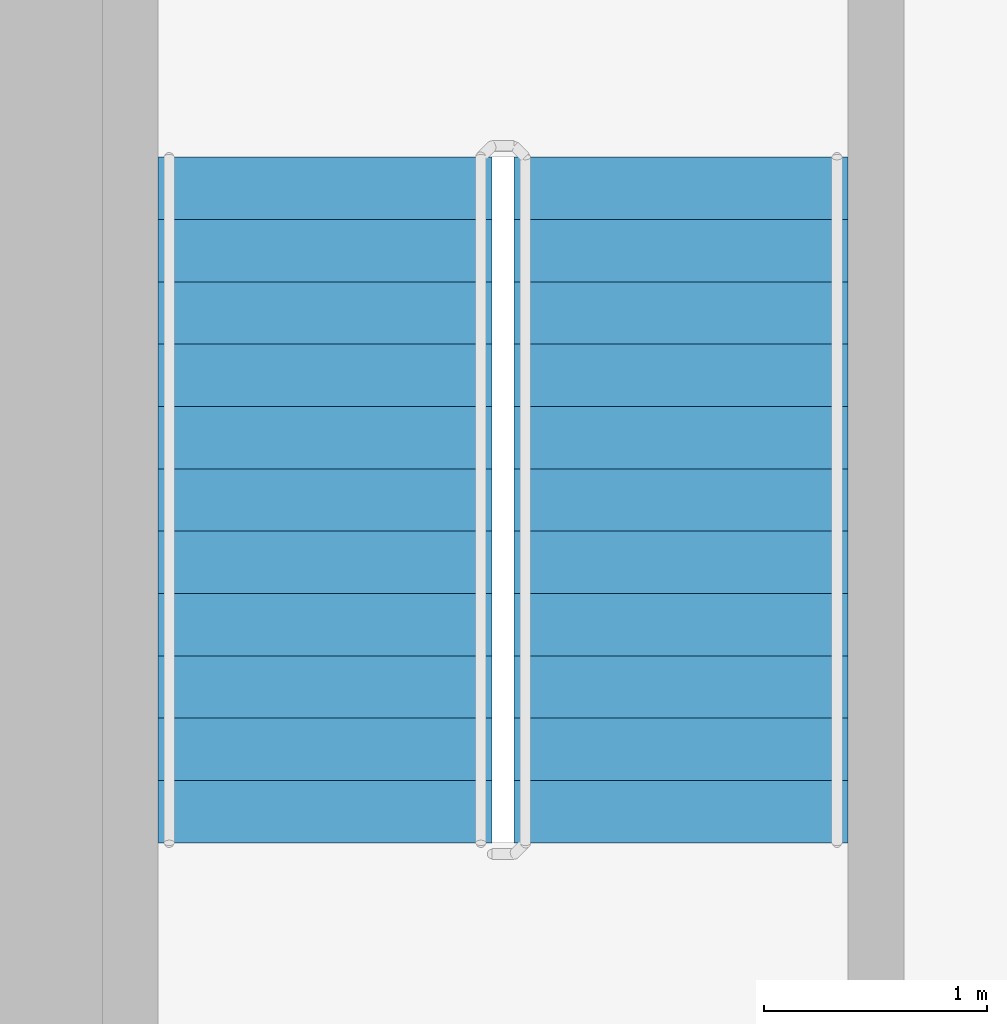
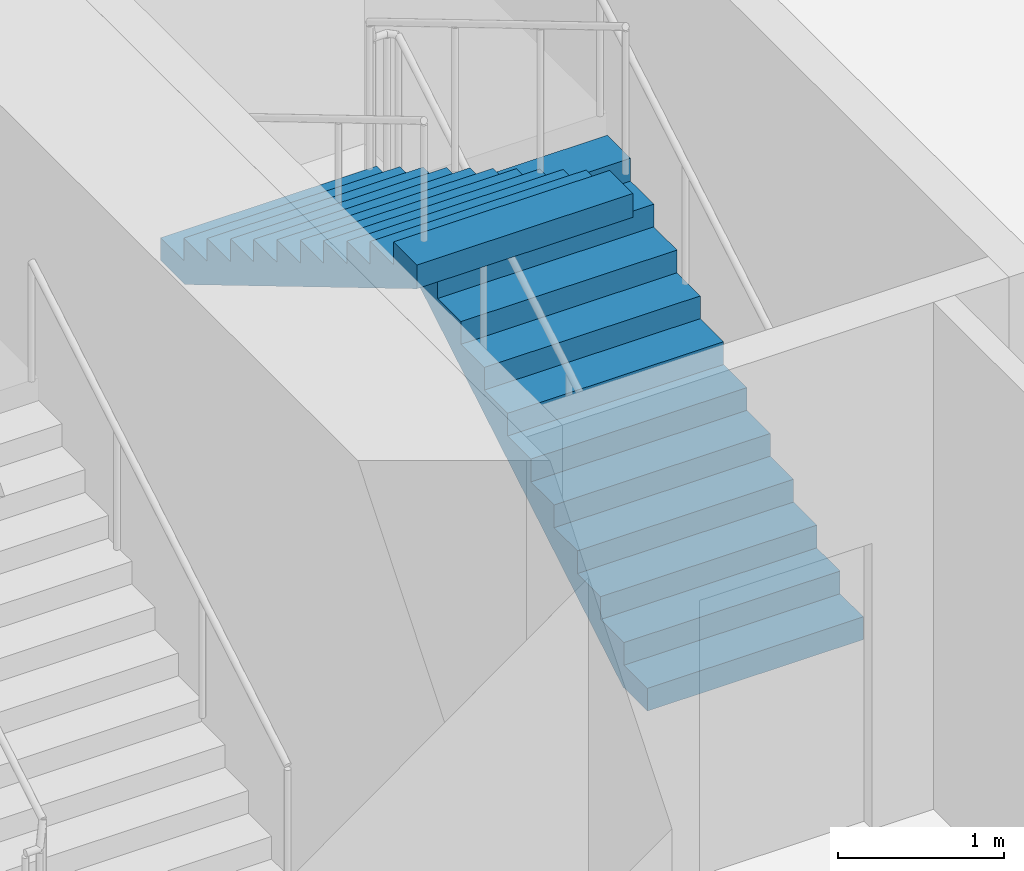
# One storey, part 19 of 27: 2 stair flights, 1 element without a shape of its own.
"""IFC4 building model written with IfcOpenShell, lengths in metres."""

import ifcopenshell
import ifcopenshell.guid

model = None  # the IFC model being written
_history = None  # IfcOwnerHistory: only IFC2X3 demands one
_inside = {}  # id of a spatial element -> (the spatial element, [elements in it])
_under = {}  # id of a project, library or spatial element -> (it, [spatial elements below it])
_declared = {}  # id of a project -> (the project, [libraries it declares])
_typed = {}  # id of a type object -> (the type object, [elements of that type])
_made_of = {}  # id of a material, layer set ... -> (it, [elements and type objects made of it])


def new_model(schema):
    """Start an empty IFC model of exactly this schema.

    Asked for "IFC4X3", IfcOpenShell would pick the latest addendum, in which some entities
    have other attributes; the version numbers below select the first issue.
    IFC2X3 requires an IfcOwnerHistory on every rooted entity: one is made here for all.
    """
    global model, _history
    if schema == "IFC4X3":
        model = ifcopenshell.file(schema_version=(4, 3, 0, 0))
    else:
        model = ifcopenshell.file(schema=schema)
    _inside.clear()
    _under.clear()
    _declared.clear()
    _typed.clear()
    _made_of.clear()
    _history = None
    if model.schema == "IFC2X3":
        org = make("IfcOrganization", Name="unknown")
        user = make(
            "IfcPersonAndOrganization",
            ThePerson=make("IfcPerson", FamilyName="unknown"),
            TheOrganization=org,
        )
        app = make(
            "IfcApplication",
            ApplicationDeveloper=org,
            Version="unknown",
            ApplicationFullName="unknown",
            ApplicationIdentifier="unknown",
        )
        _history = make(
            "IfcOwnerHistory",
            OwningUser=user,
            OwningApplication=app,
            ChangeAction="ADDED",
            CreationDate=0,
        )
    return model


def make(cls, **values):
    """One entity of the class cls with the attributes given. An attribute that is None is left unset."""
    return model.create_entity(
        cls, **{name: value for name, value in values.items() if value is not None}
    )


def rooted(cls, **values):
    """An entity with a GlobalId (a new one), such as an element, a storey or a relation."""
    return make(cls, GlobalId=ifcopenshell.guid.new(), OwnerHistory=_history, **values)


def si_unit(unit_type, name, prefix=None):
    """IfcSIUnit, for example si_unit("LENGTHUNIT", "METRE", prefix="MILLI")."""
    return make("IfcSIUnit", UnitType=unit_type, Prefix=prefix, Name=name)


def assignment(units):
    """IfcUnitAssignment: the units of a project."""
    return None if units is None else make("IfcUnitAssignment", Units=units)


def point(xyz):
    """IfcCartesianPoint."""
    return None if xyz is None else make("IfcCartesianPoint", Coordinates=xyz)


def direction(xyz):
    """IfcDirection."""
    return None if xyz is None else make("IfcDirection", DirectionRatios=xyz)


def frame(location, z_axis=None, x_axis=None):
    """IfcAxis2Placement3D, a coordinate frame: its origin and axes. An axis left out is left unset."""
    return make(
        "IfcAxis2Placement3D",
        Location=point(location),
        Axis=direction(z_axis),
        RefDirection=direction(x_axis),
    )


def origin():
    """The frame at (0, 0, 0) with its axes left unset."""
    return frame((0.0, 0.0, 0.0))


def place(relative_to, where):
    """IfcLocalPlacement: puts the frame where relative to a parent placement (None: the world)."""
    return make(
        "IfcLocalPlacement", PlacementRelTo=relative_to, RelativePlacement=where
    )


def context(
    kind, dimensions, precision=None, world=None, true_north=None, identifier=None
):
    """IfcGeometricRepresentationContext, for example the 3D "Model" context."""
    return make(
        "IfcGeometricRepresentationContext",
        ContextIdentifier=identifier,
        ContextType=kind,
        CoordinateSpaceDimension=dimensions,
        Precision=precision,
        WorldCoordinateSystem=world,
        TrueNorth=true_north,
    )


def subcontext(parent, identifier, kind, view, scale=None):
    """IfcGeometricRepresentationSubContext, for example "Body" below "Model"."""
    return make(
        "IfcGeometricRepresentationSubContext",
        ContextIdentifier=identifier,
        ContextType=kind,
        ParentContext=parent,
        TargetScale=scale,
        TargetView=view,
    )


def project(units=None, contexts=None):
    """IfcProject with its units and contexts."""
    return rooted(
        "IfcProject",
        Name="project",
        RepresentationContexts=contexts,
        UnitsInContext=assignment(units),
    )


def spatial(cls, under=None, at=None, **own):
    """A site, building, storey or space (cls), placed at a placement, below another one or the project."""
    s = rooted(cls, ObjectPlacement=at, **own)
    if under is not None:
        _under.setdefault(under.id(), (under, []))[1].append(s)
    return s


def point_list(points):
    """IfcCartesianPointList2D or 3D."""
    cls = (
        "IfcCartesianPointList2D" if len(points[0]) == 2 else "IfcCartesianPointList3D"
    )
    return make(cls, CoordList=points)


def triangles(points, corners, closed=None, point_numbers=None):
    """IfcTriangulatedFaceSet: each triangle names its three corners, points numbered from 1."""
    return make(
        "IfcTriangulatedFaceSet",
        Coordinates=point_list(points),
        Closed=closed,
        CoordIndex=corners,
        PnIndex=point_numbers,
    )


def shape(context_of_items, identifier, shape_type, items):
    """IfcShapeRepresentation: the items that make up one representation, for example the "Body"."""
    return make(
        "IfcShapeRepresentation",
        ContextOfItems=context_of_items,
        RepresentationIdentifier=identifier,
        RepresentationType=shape_type,
        Items=items,
    )


def source(mapping_origin, context_of_items, identifier, shape_type, items):
    """IfcRepresentationMap: a shape defined once, which mapped items show again and again."""
    return make(
        "IfcRepresentationMap",
        MappingOrigin=mapping_origin,
        MappedRepresentation=shape(context_of_items, identifier, shape_type, items),
    )


def transform(
    local_origin,
    x_axis=None,
    y_axis=None,
    z_axis=None,
    scale=None,
    scale2=None,
    scale3=None,
    uniform=True,
):
    """IfcCartesianTransformationOperator3D, or its non-uniform kind. x_axis, y_axis, z_axis: its Axis1, 2, 3."""
    if uniform:
        return make(
            "IfcCartesianTransformationOperator3D",
            Axis1=direction(x_axis),
            Axis2=direction(y_axis),
            LocalOrigin=point(local_origin),
            Scale=scale,
            Axis3=direction(z_axis),
        )
    return make(
        "IfcCartesianTransformationOperator3DnonUniform",
        Axis1=direction(x_axis),
        Axis2=direction(y_axis),
        LocalOrigin=point(local_origin),
        Scale=scale,
        Axis3=direction(z_axis),
        Scale2=scale2,
        Scale3=scale3,
    )


def mapped(mapping_source, mapping_target):
    """IfcMappedItem: shows the shape of a source again, moved by a transform."""
    return make(
        "IfcMappedItem", MappingSource=mapping_source, MappingTarget=mapping_target
    )


def material(Name=None, Category=None):
    """IfcMaterial."""
    return make("IfcMaterial", Name=Name, Category=Category)


def made_of(thing, what):
    """Note that an element or type object is made of a material, layer set ...; save() writes the relation."""
    if what is not None:
        _made_of.setdefault(what.id(), (what, []))[1].append(thing)
    return thing


def type_object(cls, material=None, **own):
    """A type object (cls), such as IfcWallType, which elements share."""
    return made_of(rooted(cls, **own), material)


def element(
    cls,
    number,
    at=None,
    inside=None,
    cuts=None,
    type_object=None,
    material=None,
    context=None,
    identifier="Body",
    shape_type=None,
    held_by="IfcProductDefinitionShape",
    body=None,
    shapes=None,
    **own,
):
    """One element of the class cls, such as IfcWall. Its Tag is "e" and its number.

    at: its placement. inside: the storey or other place that contains it. cuts: it is an
    opening in that element (IfcRelVoidsElement). A single representation is given by context,
    identifier, shape_type and body (its items); several are given by shapes. held_by: the class
    of the entity that holds the representations. save() writes the other relations.
    """
    e = rooted(cls, Tag="e%d" % number, ObjectPlacement=at, **own)
    if body is not None:
        shapes = [shape(context, identifier, shape_type, body)]
    if shapes is not None:
        e.Representation = make(held_by, Representations=shapes)
    if inside is not None:
        _inside.setdefault(inside.id(), (inside, []))[1].append(e)
    if cuts is not None:
        rooted(
            "IfcRelVoidsElement", RelatingBuildingElement=cuts, RelatedOpeningElement=e
        )
    if type_object is not None:
        _typed.setdefault(type_object.id(), (type_object, []))[1].append(e)
    return made_of(e, material)


def aggregate(whole, parts):
    """IfcRelAggregates: a whole, such as a stair, and the parts it consists of."""
    return rooted("IfcRelAggregates", RelatingObject=whole, RelatedObjects=parts)


def save(model, path):
    """Write the relations noted so far, then the file.

    IfcRelAggregates (storeys below a building ...), IfcRelContainedInSpatialStructure (elements
    in a storey), IfcRelDefinesByType, IfcRelAssociatesMaterial and IfcRelDeclares: one each for
    every whole, place, type object, material and project.
    """
    for whole, parts in _under.values():
        aggregate(whole, parts)
    for where, things in _inside.values():
        rooted(
            "IfcRelContainedInSpatialStructure",
            RelatedElements=things,
            RelatingStructure=where,
        )
    for kind, things in _typed.values():
        rooted("IfcRelDefinesByType", RelatedObjects=things, RelatingType=kind)
    for what, things in _made_of.values():
        rooted("IfcRelAssociatesMaterial", RelatedObjects=things, RelatingMaterial=what)
    for by, libraries in _declared.values():
        rooted("IfcRelDeclares", RelatingContext=by, RelatedDefinitions=libraries)
    model.write(path)


model = new_model("IFC4")

# Units and contexts
model_context = context("Model", 3, precision=1e-05, world=origin(), true_north=direction((0.0, 1.0)))
body_context = subcontext(model_context, "Body", "Model", "MODEL_VIEW")
ifc_project = project(units=[si_unit("LENGTHUNIT", "METRE"), si_unit("AREAUNIT", "SQUARE_METRE"), si_unit("VOLUMEUNIT", "CUBIC_METRE"), si_unit("PLANEANGLEUNIT", "RADIAN"), si_unit("MASSUNIT", "GRAM", prefix="KILO")], contexts=[model_context])

# Site, building, storey
site_placement = place(None, origin())
site = spatial("IfcSite", under=ifc_project, at=site_placement, CompositionType="ELEMENT")
building_placement = place(site_placement, origin())
building = spatial("IfcBuilding", under=site, at=building_placement, Name="Kilnfold Tower and Market Hall", CompositionType="ELEMENT")
storey_placement = place(building_placement, frame((0.0, 0.0, 51.0)))
storey = spatial("IfcBuildingStorey", under=building, at=storey_placement, Name="L11", CompositionType="ELEMENT", Elevation=51.0)

# Stair, stair flights
ifc_material_1 = material(Name="Concrete C40/50", Category="concrete")
stair_type = type_object("IfcStairType", Name="CORE STAIR 1500", PredefinedType="HALF_TURN_STAIR", material=ifc_material_1)
stair_placement = place(storey_placement, origin())
stair = element("IfcStair", 1, at=stair_placement, inside=storey, type_object=stair_type, Name="L11 ST5", PredefinedType="HALF_TURN_STAIR")
ifc_material_2 = material(Name="Concrete C40/50", Category="concrete")
stair_flight_type = type_object("IfcStairFlightType", Name="CORE STAIR FLIGHT 1500", PredefinedType="STRAIGHT", material=ifc_material_2)
shared_shape = source(origin(), body_context, "Body", "Tessellation", [
    triangles([(0.0, 0.75, 0.0), (0.0, 0.65625, 0.0), (0.0, 0.5625, 0.0), (0.0, 0.46875, 0.0), (0.0, 0.375, 0.0), (0.0, 0.28125, 0.0), (0.0, 0.1875, 0.0), (0.0, 0.09375, 0.0), (0.0, 0.0, 0.0), (0.0, -0.09375, 0.0), (0.0, -0.1875, 0.0), (0.0, -0.28125, 0.0), (0.0, -0.375, 0.0), (0.0, -0.46875, 0.0), (0.0, -0.5625, 0.0), (0.0, -0.65625, 0.0), (0.0, -0.75, 0.0), (0.0, 0.75, 0.166748046875), (0.0, 0.65625, 0.166748046875), (0.0, 0.5625, 0.166748046875), (0.0, 0.46875, 0.166748046875), (0.0, 0.375, 0.166748046875), (0.0, 0.28125, 0.166748046875), (0.0, 0.1875, 0.166748046875), (0.0, 0.09375, 0.166748046875), (0.0, 0.0, 0.166748046875), (0.0, -0.09375, 0.166748046875), (0.0, -0.1875, 0.166748046875), (0.0, -0.28125, 0.166748046875), (0.0, -0.375, 0.166748046875), (0.0, -0.46875, 0.166748046875), (0.0, -0.5625, 0.166748046875), (0.0, -0.65625, 0.166748046875), (0.0, -0.75, 0.166748046875), (0.280029296875, 0.75, 0.166748046875), (0.280029296875, 0.65625, 0.166748046875), (0.280029296875, 0.5625, 0.166748046875), (0.280029296875, 0.46875, 0.166748046875), (0.280029296875, 0.375, 0.166748046875), (0.280029296875, 0.28125, 0.166748046875), (0.280029296875, 0.1875, 0.166748046875), (0.280029296875, 0.09375, 0.166748046875), (0.280029296875, 0.0, 0.166748046875), (0.280029296875, -0.09375, 0.166748046875), (0.280029296875, -0.1875, 0.166748046875), (0.280029296875, -0.28125, 0.166748046875), (0.280029296875, -0.375, 0.166748046875), (0.280029296875, -0.46875, 0.166748046875), (0.280029296875, -0.5625, 0.166748046875), (0.280029296875, -0.65625, 0.166748046875), (0.280029296875, -0.75, 0.166748046875), (0.280029296875, 0.75, 0.333251953125), (0.280029296875, 0.65625, 0.333251953125), (0.280029296875, 0.5625, 0.333251953125), (0.280029296875, 0.46875, 0.333251953125), (0.280029296875, 0.375, 0.333251953125), (0.280029296875, 0.28125, 0.333251953125), (0.280029296875, 0.1875, 0.333251953125), (0.280029296875, 0.09375, 0.333251953125), (0.280029296875, 0.0, 0.333251953125), (0.280029296875, -0.09375, 0.333251953125), (0.280029296875, -0.1875, 0.333251953125), (0.280029296875, -0.28125, 0.333251953125), (0.280029296875, -0.375, 0.333251953125), (0.280029296875, -0.46875, 0.333251953125), (0.280029296875, -0.5625, 0.333251953125), (0.280029296875, -0.65625, 0.333251953125), (0.280029296875, -0.75, 0.333251953125), (0.56005859375, 0.75, 0.333251953125), (0.56005859375, 0.65625, 0.333251953125), (0.56005859375, 0.5625, 0.333251953125), (0.56005859375, 0.46875, 0.333251953125), (0.56005859375, 0.375, 0.333251953125), (0.56005859375, 0.28125, 0.333251953125), (0.56005859375, 0.1875, 0.333251953125), (0.56005859375, 0.09375, 0.333251953125), (0.56005859375, 0.0, 0.333251953125), (0.56005859375, -0.09375, 0.333251953125), (0.56005859375, -0.1875, 0.333251953125), (0.56005859375, -0.28125, 0.333251953125), (0.56005859375, -0.375, 0.333251953125), (0.56005859375, -0.46875, 0.333251953125), (0.56005859375, -0.5625, 0.333251953125), (0.56005859375, -0.65625, 0.333251953125), (0.56005859375, -0.75, 0.333251953125), (0.56005859375, 0.75, 0.5), (0.56005859375, 0.65625, 0.5), (0.56005859375, 0.5625, 0.5), (0.56005859375, 0.46875, 0.5), (0.56005859375, 0.375, 0.5), (0.56005859375, 0.28125, 0.5), (0.56005859375, 0.1875, 0.5), (0.56005859375, 0.09375, 0.5), (0.56005859375, 0.0, 0.5), (0.56005859375, -0.09375, 0.5), (0.56005859375, -0.1875, 0.5), (0.56005859375, -0.28125, 0.5), (0.56005859375, -0.375, 0.5), (0.56005859375, -0.46875, 0.5), (0.56005859375, -0.5625, 0.5), (0.56005859375, -0.65625, 0.5), (0.56005859375, -0.75, 0.5), (0.840087890625, 0.75, 0.5), (0.840087890625, 0.65625, 0.5), (0.840087890625, 0.5625, 0.5), (0.840087890625, 0.46875, 0.5), (0.840087890625, 0.375, 0.5), (0.840087890625, 0.28125, 0.5), (0.840087890625, 0.1875, 0.5), (0.840087890625, 0.09375, 0.5), (0.840087890625, 0.0, 0.5), (0.840087890625, -0.09375, 0.5), (0.840087890625, -0.1875, 0.5), (0.840087890625, -0.28125, 0.5), (0.840087890625, -0.375, 0.5), (0.840087890625, -0.46875, 0.5), (0.840087890625, -0.5625, 0.5), (0.840087890625, -0.65625, 0.5), (0.840087890625, -0.75, 0.5), (0.840087890625, 0.75, 0.666748046875), (0.840087890625, 0.65625, 0.666748046875), (0.840087890625, 0.5625, 0.666748046875), (0.840087890625, 0.46875, 0.666748046875), (0.840087890625, 0.375, 0.666748046875), (0.840087890625, 0.28125, 0.666748046875), (0.840087890625, 0.1875, 0.666748046875), (0.840087890625, 0.09375, 0.666748046875), (0.840087890625, 0.0, 0.666748046875), (0.840087890625, -0.09375, 0.666748046875), (0.840087890625, -0.1875, 0.666748046875), (0.840087890625, -0.28125, 0.666748046875), (0.840087890625, -0.375, 0.666748046875), (0.840087890625, -0.46875, 0.666748046875), (0.840087890625, -0.5625, 0.666748046875), (0.840087890625, -0.65625, 0.666748046875), (0.840087890625, -0.75, 0.666748046875), (1.1201171875, 0.75, 0.666748046875), (1.1201171875, 0.65625, 0.666748046875), (1.1201171875, 0.5625, 0.666748046875), (1.1201171875, 0.46875, 0.666748046875), (1.1201171875, 0.375, 0.666748046875), (1.1201171875, 0.28125, 0.666748046875), (1.1201171875, 0.1875, 0.666748046875), (1.1201171875, 0.09375, 0.666748046875), (1.1201171875, 0.0, 0.666748046875), (1.1201171875, -0.09375, 0.666748046875), (1.1201171875, -0.1875, 0.666748046875), (1.1201171875, -0.28125, 0.666748046875), (1.1201171875, -0.375, 0.666748046875), (1.1201171875, -0.46875, 0.666748046875), (1.1201171875, -0.5625, 0.666748046875), (1.1201171875, -0.65625, 0.666748046875), (1.1201171875, -0.75, 0.666748046875), (1.1201171875, 0.75, 0.833251953125), (1.1201171875, 0.65625, 0.833251953125), (1.1201171875, 0.5625, 0.833251953125), (1.1201171875, 0.46875, 0.833251953125), (1.1201171875, 0.375, 0.833251953125), (1.1201171875, 0.28125, 0.833251953125), (1.1201171875, 0.1875, 0.833251953125), (1.1201171875, 0.09375, 0.833251953125), (1.1201171875, 0.0, 0.833251953125), (1.1201171875, -0.09375, 0.833251953125), (1.1201171875, -0.1875, 0.833251953125), (1.1201171875, -0.28125, 0.833251953125), (1.1201171875, -0.375, 0.833251953125), (1.1201171875, -0.46875, 0.833251953125), (1.1201171875, -0.5625, 0.833251953125), (1.1201171875, -0.65625, 0.833251953125), (1.1201171875, -0.75, 0.833251953125), (1.39990234375, 0.75, 0.833251953125), (1.39990234375, 0.65625, 0.833251953125), (1.39990234375, 0.5625, 0.833251953125), (1.39990234375, 0.46875, 0.833251953125), (1.39990234375, 0.375, 0.833251953125), (1.39990234375, 0.28125, 0.833251953125), (1.39990234375, 0.1875, 0.833251953125), (1.39990234375, 0.09375, 0.833251953125), (1.39990234375, 0.0, 0.833251953125), (1.39990234375, -0.09375, 0.833251953125), (1.39990234375, -0.1875, 0.833251953125), (1.39990234375, -0.28125, 0.833251953125), (1.39990234375, -0.375, 0.833251953125), (1.39990234375, -0.46875, 0.833251953125), (1.39990234375, -0.5625, 0.833251953125), (1.39990234375, -0.65625, 0.833251953125), (1.39990234375, -0.75, 0.833251953125), (1.39990234375, 0.75, 1.0), (1.39990234375, 0.65625, 1.0), (1.39990234375, 0.5625, 1.0), (1.39990234375, 0.46875, 1.0), (1.39990234375, 0.375, 1.0), (1.39990234375, 0.28125, 1.0), (1.39990234375, 0.1875, 1.0), (1.39990234375, 0.09375, 1.0), (1.39990234375, 0.0, 1.0), (1.39990234375, -0.09375, 1.0), (1.39990234375, -0.1875, 1.0), (1.39990234375, -0.28125, 1.0), (1.39990234375, -0.375, 1.0), (1.39990234375, -0.46875, 1.0), (1.39990234375, -0.5625, 1.0), (1.39990234375, -0.65625, 1.0), (1.39990234375, -0.75, 1.0), (1.679931640625, 0.75, 1.0), (1.679931640625, 0.65625, 1.0), (1.679931640625, 0.5625, 1.0), (1.679931640625, 0.46875, 1.0), (1.679931640625, 0.375, 1.0), (1.679931640625, 0.28125, 1.0), (1.679931640625, 0.1875, 1.0), (1.679931640625, 0.09375, 1.0), (1.679931640625, 0.0, 1.0), (1.679931640625, -0.09375, 1.0), (1.679931640625, -0.1875, 1.0), (1.679931640625, -0.28125, 1.0), (1.679931640625, -0.375, 1.0), (1.679931640625, -0.46875, 1.0), (1.679931640625, -0.5625, 1.0), (1.679931640625, -0.65625, 1.0), (1.679931640625, -0.75, 1.0), (1.679931640625, 0.75, 1.166748046875), (1.679931640625, 0.65625, 1.166748046875), (1.679931640625, 0.5625, 1.166748046875), (1.679931640625, 0.46875, 1.166748046875), (1.679931640625, 0.375, 1.166748046875), (1.679931640625, 0.28125, 1.166748046875), (1.679931640625, 0.1875, 1.166748046875), (1.679931640625, 0.09375, 1.166748046875), (1.679931640625, 0.0, 1.166748046875), (1.679931640625, -0.09375, 1.166748046875), (1.679931640625, -0.1875, 1.166748046875), (1.679931640625, -0.28125, 1.166748046875), (1.679931640625, -0.375, 1.166748046875), (1.679931640625, -0.46875, 1.166748046875), (1.679931640625, -0.5625, 1.166748046875), (1.679931640625, -0.65625, 1.166748046875), (1.679931640625, -0.75, 1.166748046875), (1.9599609375, 0.75, 1.166748046875), (1.9599609375, 0.65625, 1.166748046875), (1.9599609375, 0.5625, 1.166748046875), (1.9599609375, 0.46875, 1.166748046875), (1.9599609375, 0.375, 1.166748046875), (1.9599609375, 0.28125, 1.166748046875), (1.9599609375, 0.1875, 1.166748046875), (1.9599609375, 0.09375, 1.166748046875), (1.9599609375, 0.0, 1.166748046875), (1.9599609375, -0.09375, 1.166748046875), (1.9599609375, -0.1875, 1.166748046875), (1.9599609375, -0.28125, 1.166748046875), (1.9599609375, -0.375, 1.166748046875), (1.9599609375, -0.46875, 1.166748046875), (1.9599609375, -0.5625, 1.166748046875), (1.9599609375, -0.65625, 1.166748046875), (1.9599609375, -0.75, 1.166748046875), (1.9599609375, 0.75, 1.333251953125), (1.9599609375, 0.65625, 1.333251953125), (1.9599609375, 0.5625, 1.333251953125), (1.9599609375, 0.46875, 1.333251953125), (1.9599609375, 0.375, 1.333251953125), (1.9599609375, 0.28125, 1.333251953125), (1.9599609375, 0.1875, 1.333251953125), (1.9599609375, 0.09375, 1.333251953125), (1.9599609375, 0.0, 1.333251953125), (1.9599609375, -0.09375, 1.333251953125), (1.9599609375, -0.1875, 1.333251953125), (1.9599609375, -0.28125, 1.333251953125), (1.9599609375, -0.375, 1.333251953125), (1.9599609375, -0.46875, 1.333251953125), (1.9599609375, -0.5625, 1.333251953125), (1.9599609375, -0.65625, 1.333251953125), (1.9599609375, -0.75, 1.333251953125), (2.239990234375, 0.75, 1.333251953125), (2.239990234375, 0.65625, 1.333251953125), (2.239990234375, 0.5625, 1.333251953125), (2.239990234375, 0.46875, 1.333251953125), (2.239990234375, 0.375, 1.333251953125), (2.239990234375, 0.28125, 1.333251953125), (2.239990234375, 0.1875, 1.333251953125), (2.239990234375, 0.09375, 1.333251953125), (2.239990234375, 0.0, 1.333251953125), (2.239990234375, -0.09375, 1.333251953125), (2.239990234375, -0.1875, 1.333251953125), (2.239990234375, -0.28125, 1.333251953125), (2.239990234375, -0.375, 1.333251953125), (2.239990234375, -0.46875, 1.333251953125), (2.239990234375, -0.5625, 1.333251953125), (2.239990234375, -0.65625, 1.333251953125), (2.239990234375, -0.75, 1.333251953125), (2.239990234375, 0.75, 1.5), (2.239990234375, 0.65625, 1.5), (2.239990234375, 0.5625, 1.5), (2.239990234375, 0.46875, 1.5), (2.239990234375, 0.375, 1.5), (2.239990234375, 0.28125, 1.5), (2.239990234375, 0.1875, 1.5), (2.239990234375, 0.09375, 1.5), (2.239990234375, 0.0, 1.5), (2.239990234375, -0.09375, 1.5), (2.239990234375, -0.1875, 1.5), (2.239990234375, -0.28125, 1.5), (2.239990234375, -0.375, 1.5), (2.239990234375, -0.46875, 1.5), (2.239990234375, -0.5625, 1.5), (2.239990234375, -0.65625, 1.5), (2.239990234375, -0.75, 1.5), (2.52001953125, 0.75, 1.5), (2.52001953125, 0.65625, 1.5), (2.52001953125, 0.5625, 1.5), (2.52001953125, 0.46875, 1.5), (2.52001953125, 0.375, 1.5), (2.52001953125, 0.28125, 1.5), (2.52001953125, 0.1875, 1.5), (2.52001953125, 0.09375, 1.5), (2.52001953125, 0.0, 1.5), (2.52001953125, -0.09375, 1.5), (2.52001953125, -0.1875, 1.5), (2.52001953125, -0.28125, 1.5), (2.52001953125, -0.375, 1.5), (2.52001953125, -0.46875, 1.5), (2.52001953125, -0.5625, 1.5), (2.52001953125, -0.65625, 1.5), (2.52001953125, -0.75, 1.5), (2.52001953125, 0.75, 1.666748046875), (2.52001953125, 0.65625, 1.666748046875), (2.52001953125, 0.5625, 1.666748046875), (2.52001953125, 0.46875, 1.666748046875), (2.52001953125, 0.375, 1.666748046875), (2.52001953125, 0.28125, 1.666748046875), (2.52001953125, 0.1875, 1.666748046875), (2.52001953125, 0.09375, 1.666748046875), (2.52001953125, 0.0, 1.666748046875), (2.52001953125, -0.09375, 1.666748046875), (2.52001953125, -0.1875, 1.666748046875), (2.52001953125, -0.28125, 1.666748046875), (2.52001953125, -0.375, 1.666748046875), (2.52001953125, -0.46875, 1.666748046875), (2.52001953125, -0.5625, 1.666748046875), (2.52001953125, -0.65625, 1.666748046875), (2.52001953125, -0.75, 1.666748046875), (2.800048828125, 0.75, 1.666748046875), (2.800048828125, 0.65625, 1.666748046875), (2.800048828125, 0.5625, 1.666748046875), (2.800048828125, 0.46875, 1.666748046875), (2.800048828125, 0.375, 1.666748046875), (2.800048828125, 0.28125, 1.666748046875), (2.800048828125, 0.1875, 1.666748046875), (2.800048828125, 0.09375, 1.666748046875), (2.800048828125, 0.0, 1.666748046875), (2.800048828125, -0.09375, 1.666748046875), (2.800048828125, -0.1875, 1.666748046875), (2.800048828125, -0.28125, 1.666748046875), (2.800048828125, -0.375, 1.666748046875), (2.800048828125, -0.46875, 1.666748046875), (2.800048828125, -0.5625, 1.666748046875), (2.800048828125, -0.65625, 1.666748046875), (2.800048828125, -0.75, 1.666748046875), (2.800048828125, 0.75, 1.833251953125), (2.800048828125, 0.65625, 1.833251953125), (2.800048828125, 0.5625, 1.833251953125), (2.800048828125, 0.46875, 1.833251953125), (2.800048828125, 0.375, 1.833251953125), (2.800048828125, 0.28125, 1.833251953125), (2.800048828125, 0.1875, 1.833251953125), (2.800048828125, 0.09375, 1.833251953125), (2.800048828125, 0.0, 1.833251953125), (2.800048828125, -0.09375, 1.833251953125), (2.800048828125, -0.1875, 1.833251953125), (2.800048828125, -0.28125, 1.833251953125), (2.800048828125, -0.375, 1.833251953125), (2.800048828125, -0.46875, 1.833251953125), (2.800048828125, -0.5625, 1.833251953125), (2.800048828125, -0.65625, 1.833251953125), (2.800048828125, -0.75, 1.833251953125), (3.080078125, 0.75, 1.833251953125), (3.080078125, 0.65625, 1.833251953125), (3.080078125, 0.5625, 1.833251953125), (3.080078125, 0.46875, 1.833251953125), (3.080078125, 0.375, 1.833251953125), (3.080078125, 0.28125, 1.833251953125), (3.080078125, 0.1875, 1.833251953125), (3.080078125, 0.09375, 1.833251953125), (3.080078125, 0.0, 1.833251953125), (3.080078125, -0.09375, 1.833251953125), (3.080078125, -0.1875, 1.833251953125), (3.080078125, -0.28125, 1.833251953125), (3.080078125, -0.375, 1.833251953125), (3.080078125, -0.46875, 1.833251953125), (3.080078125, -0.5625, 1.833251953125), (3.080078125, -0.65625, 1.833251953125), (3.080078125, -0.75, 1.833251953125), (3.080078125, 0.75, 1.658935546875), (3.080078125, 0.65625, 1.658935546875), (3.080078125, 0.5625, 1.658935546875), (3.080078125, 0.46875, 1.658935546875), (3.080078125, 0.375, 1.658935546875), (3.080078125, 0.28125, 1.658935546875), (3.080078125, 0.1875, 1.658935546875), (3.080078125, 0.09375, 1.658935546875), (3.080078125, 0.0, 1.658935546875), (3.080078125, -0.09375, 1.658935546875), (3.080078125, -0.1875, 1.658935546875), (3.080078125, -0.28125, 1.658935546875), (3.080078125, -0.375, 1.658935546875), (3.080078125, -0.46875, 1.658935546875), (3.080078125, -0.5625, 1.658935546875), (3.080078125, -0.65625, 1.658935546875), (3.080078125, -0.75, 1.658935546875), (0.29296875, 0.75, 0.0), (0.29296875, 0.65625, 0.0), (0.29296875, 0.5625, 0.0), (0.29296875, 0.46875, 0.0), (0.29296875, 0.375, 0.0), (0.29296875, 0.28125, 0.0), (0.29296875, 0.1875, 0.0), (0.29296875, 0.09375, 0.0), (0.29296875, 0.0, 0.0), (0.29296875, -0.09375, 0.0), (0.29296875, -0.1875, 0.0), (0.29296875, -0.28125, 0.0), (0.29296875, -0.375, 0.0), (0.29296875, -0.46875, 0.0), (0.29296875, -0.5625, 0.0), (0.29296875, -0.65625, 0.0), (0.29296875, -0.75, 0.0)], [[1, 392, 409], [17, 425, 408], [392, 358, 375], [408, 391, 374], [392, 341, 358], [408, 374, 357], [392, 324, 341], [408, 357, 340], [392, 307, 324], [408, 340, 323], [307, 273, 290], [323, 306, 289], [392, 273, 307], [408, 323, 289], [273, 239, 256], [289, 272, 255], [392, 239, 273], [408, 289, 255], [239, 205, 222], [255, 238, 221], [392, 205, 239], [408, 255, 221], [205, 171, 188], [221, 204, 187], [392, 171, 205], [408, 221, 187], [171, 137, 154], [187, 170, 153], [392, 137, 171], [408, 187, 153], [137, 103, 120], [153, 136, 119], [392, 103, 137], [408, 153, 119], [103, 69, 86], [119, 102, 85], [392, 69, 103], [408, 119, 85], [1, 69, 392], [17, 408, 85], [69, 35, 52], [85, 68, 51], [1, 35, 69], [17, 85, 51], [35, 1, 18], [51, 34, 17], [1, 19, 18], [1, 2, 19], [2, 20, 19], [2, 3, 20], [3, 21, 20], [3, 4, 21], [4, 22, 21], [4, 5, 22], [5, 23, 22], [5, 6, 23], [6, 24, 23], [6, 7, 24], [7, 25, 24], [7, 8, 25], [8, 26, 25], [8, 9, 26], [9, 27, 26], [9, 10, 27], [10, 28, 27], [10, 11, 28], [11, 29, 28], [11, 12, 29], [12, 30, 29], [12, 13, 30], [13, 31, 30], [13, 14, 31], [14, 32, 31], [14, 15, 32], [15, 33, 32], [15, 16, 33], [16, 34, 33], [16, 17, 34], [18, 36, 35], [18, 19, 36], [19, 37, 36], [19, 20, 37], [20, 38, 37], [20, 21, 38], [21, 39, 38], [21, 22, 39], [22, 40, 39], [22, 23, 40], [23, 41, 40], [23, 24, 41], [24, 42, 41], [24, 25, 42], [25, 43, 42], [25, 26, 43], [26, 44, 43], [26, 27, 44], [27, 45, 44], [27, 28, 45], [28, 46, 45], [28, 29, 46], [29, 47, 46], [29, 30, 47], [30, 48, 47], [30, 31, 48], [31, 49, 48], [31, 32, 49], [32, 50, 49], [32, 33, 50], [33, 51, 50], [33, 34, 51], [35, 53, 52], [35, 36, 53], [36, 54, 53], [36, 37, 54], [37, 55, 54], [37, 38, 55], [38, 56, 55], [38, 39, 56], [39, 57, 56], [39, 40, 57], [40, 58, 57], [40, 41, 58], [41, 59, 58], [41, 42, 59], [42, 60, 59], [42, 43, 60], [43, 61, 60], [43, 44, 61], [44, 62, 61], [44, 45, 62], [45, 63, 62], [45, 46, 63], [46, 64, 63], [46, 47, 64], [47, 65, 64], [47, 48, 65], [48, 66, 65], [48, 49, 66], [49, 67, 66], [49, 50, 67], [50, 68, 67], [50, 51, 68], [52, 70, 69], [52, 53, 70], [53, 71, 70], [53, 54, 71], [54, 72, 71], [54, 55, 72], [55, 73, 72], [55, 56, 73], [56, 74, 73], [56, 57, 74], [57, 75, 74], [57, 58, 75], [58, 76, 75], [58, 59, 76], [59, 77, 76], [59, 60, 77], [60, 78, 77], [60, 61, 78], [61, 79, 78], [61, 62, 79], [62, 80, 79], [62, 63, 80], [63, 81, 80], [63, 64, 81], [64, 82, 81], [64, 65, 82], [65, 83, 82], [65, 66, 83], [66, 84, 83], [66, 67, 84], [67, 85, 84], [67, 68, 85], [69, 87, 86], [69, 70, 87], [70, 88, 87], [70, 71, 88], [71, 89, 88], [71, 72, 89], [72, 90, 89], [72, 73, 90], [73, 91, 90], [73, 74, 91], [74, 92, 91], [74, 75, 92], [75, 93, 92], [75, 76, 93], [76, 94, 93], [76, 77, 94], [77, 95, 94], [77, 78, 95], [78, 96, 95], [78, 79, 96], [79, 97, 96], [79, 80, 97], [80, 98, 97], [80, 81, 98], [81, 99, 98], [81, 82, 99], [82, 100, 99], [82, 83, 100], [83, 101, 100], [83, 84, 101], [84, 102, 101], [84, 85, 102], [86, 104, 103], [86, 87, 104], [87, 105, 104], [87, 88, 105], [88, 106, 105], [88, 89, 106], [89, 107, 106], [89, 90, 107], [90, 108, 107], [90, 91, 108], [91, 109, 108], [91, 92, 109], [92, 110, 109], [92, 93, 110], [93, 111, 110], [93, 94, 111], [94, 112, 111], [94, 95, 112], [95, 113, 112], [95, 96, 113], [96, 114, 113], [96, 97, 114], [97, 115, 114], [97, 98, 115], [98, 116, 115], [98, 99, 116], [99, 117, 116], [99, 100, 117], [100, 118, 117], [100, 101, 118], [101, 119, 118], [101, 102, 119], [103, 121, 120], [103, 104, 121], [104, 122, 121], [104, 105, 122], [105, 123, 122], [105, 106, 123], [106, 124, 123], [106, 107, 124], [107, 125, 124], [107, 108, 125], [108, 126, 125], [108, 109, 126], [109, 127, 126], [109, 110, 127], [110, 128, 127], [110, 111, 128], [111, 129, 128], [111, 112, 129], [112, 130, 129], [112, 113, 130], [113, 131, 130], [113, 114, 131], [114, 132, 131], [114, 115, 132], [115, 133, 132], [115, 116, 133], [116, 134, 133], [116, 117, 134], [117, 135, 134], [117, 118, 135], [118, 136, 135], [118, 119, 136], [120, 138, 137], [120, 121, 138], [121, 139, 138], [121, 122, 139], [122, 140, 139], [122, 123, 140], [123, 141, 140], [123, 124, 141], [124, 142, 141], [124, 125, 142], [125, 143, 142], [125, 126, 143], [126, 144, 143], [126, 127, 144], [127, 145, 144], [127, 128, 145], [128, 146, 145], [128, 129, 146], [129, 147, 146], [129, 130, 147], [130, 148, 147], [130, 131, 148], [131, 149, 148], [131, 132, 149], [132, 150, 149], [132, 133, 150], [133, 151, 150], [133, 134, 151], [134, 152, 151], [134, 135, 152], [135, 153, 152], [135, 136, 153], [137, 155, 154], [137, 138, 155], [138, 156, 155], [138, 139, 156], [139, 157, 156], [139, 140, 157], [140, 158, 157], [140, 141, 158], [141, 159, 158], [141, 142, 159], [142, 160, 159], [142, 143, 160], [143, 161, 160], [143, 144, 161], [144, 162, 161], [144, 145, 162], [145, 163, 162], [145, 146, 163], [146, 164, 163], [146, 147, 164], [147, 165, 164], [147, 148, 165], [148, 166, 165], [148, 149, 166], [149, 167, 166], [149, 150, 167], [150, 168, 167], [150, 151, 168], [151, 169, 168], [151, 152, 169], [152, 170, 169], [152, 153, 170], [154, 172, 171], [154, 155, 172], [155, 173, 172], [155, 156, 173], [156, 174, 173], [156, 157, 174], [157, 175, 174], [157, 158, 175], [158, 176, 175], [158, 159, 176], [159, 177, 176], [159, 160, 177], [160, 178, 177], [160, 161, 178], [161, 179, 178], [161, 162, 179], [162, 180, 179], [162, 163, 180], [163, 181, 180], [163, 164, 181], [164, 182, 181], [164, 165, 182], [165, 183, 182], [165, 166, 183], [166, 184, 183], [166, 167, 184], [167, 185, 184], [167, 168, 185], [168, 186, 185], [168, 169, 186], [169, 187, 186], [169, 170, 187], [171, 189, 188], [171, 172, 189], [172, 190, 189], [172, 173, 190], [173, 191, 190], [173, 174, 191], [174, 192, 191], [174, 175, 192], [175, 193, 192], [175, 176, 193], [176, 194, 193], [176, 177, 194], [177, 195, 194], [177, 178, 195], [178, 196, 195], [178, 179, 196], [179, 197, 196], [179, 180, 197], [180, 198, 197], [180, 181, 198], [181, 199, 198], [181, 182, 199], [182, 200, 199], [182, 183, 200], [183, 201, 200], [183, 184, 201], [184, 202, 201], [184, 185, 202], [185, 203, 202], [185, 186, 203], [186, 204, 203], [186, 187, 204], [188, 206, 205], [188, 189, 206], [189, 207, 206], [189, 190, 207], [190, 208, 207], [190, 191, 208], [191, 209, 208], [191, 192, 209], [192, 210, 209], [192, 193, 210], [193, 211, 210], [193, 194, 211], [194, 212, 211], [194, 195, 212], [195, 213, 212], [195, 196, 213], [196, 214, 213], [196, 197, 214], [197, 215, 214], [197, 198, 215], [198, 216, 215], [198, 199, 216], [199, 217, 216], [199, 200, 217], [200, 218, 217], [200, 201, 218], [201, 219, 218], [201, 202, 219], [202, 220, 219], [202, 203, 220], [203, 221, 220], [203, 204, 221], [205, 223, 222], [205, 206, 223], [206, 224, 223], [206, 207, 224], [207, 225, 224], [207, 208, 225], [208, 226, 225], [208, 209, 226], [209, 227, 226], [209, 210, 227], [210, 228, 227], [210, 211, 228], [211, 229, 228], [211, 212, 229], [212, 230, 229], [212, 213, 230], [213, 231, 230], [213, 214, 231], [214, 232, 231], [214, 215, 232], [215, 233, 232], [215, 216, 233], [216, 234, 233], [216, 217, 234], [217, 235, 234], [217, 218, 235], [218, 236, 235], [218, 219, 236], [219, 237, 236], [219, 220, 237], [220, 238, 237], [220, 221, 238], [222, 240, 239], [222, 223, 240], [223, 241, 240], [223, 224, 241], [224, 242, 241], [224, 225, 242], [225, 243, 242], [225, 226, 243], [226, 244, 243], [226, 227, 244], [227, 245, 244], [227, 228, 245], [228, 246, 245], [228, 229, 246], [229, 247, 246], [229, 230, 247], [230, 248, 247], [230, 231, 248], [231, 249, 248], [231, 232, 249], [232, 250, 249], [232, 233, 250], [233, 251, 250], [233, 234, 251], [234, 252, 251], [234, 235, 252], [235, 253, 252], [235, 236, 253], [236, 254, 253], [236, 237, 254], [237, 255, 254], [237, 238, 255], [239, 257, 256], [239, 240, 257], [240, 258, 257], [240, 241, 258], [241, 259, 258], [241, 242, 259], [242, 260, 259], [242, 243, 260], [243, 261, 260], [243, 244, 261], [244, 262, 261], [244, 245, 262], [245, 263, 262], [245, 246, 263], [246, 264, 263], [246, 247, 264], [247, 265, 264], [247, 248, 265], [248, 266, 265], [248, 249, 266], [249, 267, 266], [249, 250, 267], [250, 268, 267], [250, 251, 268], [251, 269, 268], [251, 252, 269], [252, 270, 269], [252, 253, 270], [253, 271, 270], [253, 254, 271], [254, 272, 271], [254, 255, 272], [256, 274, 273], [256, 257, 274], [257, 275, 274], [257, 258, 275], [258, 276, 275], [258, 259, 276], [259, 277, 276], [259, 260, 277], [260, 278, 277], [260, 261, 278], [261, 279, 278], [261, 262, 279], [262, 280, 279], [262, 263, 280], [263, 281, 280], [263, 264, 281], [264, 282, 281], [264, 265, 282], [265, 283, 282], [265, 266, 283], [266, 284, 283], [266, 267, 284], [267, 285, 284], [267, 268, 285], [268, 286, 285], [268, 269, 286], [269, 287, 286], [269, 270, 287], [270, 288, 287], [270, 271, 288], [271, 289, 288], [271, 272, 289], [273, 291, 290], [273, 274, 291], [274, 292, 291], [274, 275, 292], [275, 293, 292], [275, 276, 293], [276, 294, 293], [276, 277, 294], [277, 295, 294], [277, 278, 295], [278, 296, 295], [278, 279, 296], [279, 297, 296], [279, 280, 297], [280, 298, 297], [280, 281, 298], [281, 299, 298], [281, 282, 299], [282, 300, 299], [282, 283, 300], [283, 301, 300], [283, 284, 301], [284, 302, 301], [284, 285, 302], [285, 303, 302], [285, 286, 303], [286, 304, 303], [286, 287, 304], [287, 305, 304], [287, 288, 305], [288, 306, 305], [288, 289, 306], [290, 308, 307], [290, 291, 308], [291, 309, 308], [291, 292, 309], [292, 310, 309], [292, 293, 310], [293, 311, 310], [293, 294, 311], [294, 312, 311], [294, 295, 312], [295, 313, 312], [295, 296, 313], [296, 314, 313], [296, 297, 314], [297, 315, 314], [297, 298, 315], [298, 316, 315], [298, 299, 316], [299, 317, 316], [299, 300, 317], [300, 318, 317], [300, 301, 318], [301, 319, 318], [301, 302, 319], [302, 320, 319], [302, 303, 320], [303, 321, 320], [303, 304, 321], [304, 322, 321], [304, 305, 322], [305, 323, 322], [305, 306, 323], [307, 325, 324], [307, 308, 325], [308, 326, 325], [308, 309, 326], [309, 327, 326], [309, 310, 327], [310, 328, 327], [310, 311, 328], [311, 329, 328], [311, 312, 329], [312, 330, 329], [312, 313, 330], [313, 331, 330], [313, 314, 331], [314, 332, 331], [314, 315, 332], [315, 333, 332], [315, 316, 333], [316, 334, 333], [316, 317, 334], [317, 335, 334], [317, 318, 335], [318, 336, 335], [318, 319, 336], [319, 337, 336], [319, 320, 337], [320, 338, 337], [320, 321, 338], [321, 339, 338], [321, 322, 339], [322, 340, 339], [322, 323, 340], [324, 342, 341], [324, 325, 342], [325, 343, 342], [325, 326, 343], [326, 344, 343], [326, 327, 344], [327, 345, 344], [327, 328, 345], [328, 346, 345], [328, 329, 346], [329, 347, 346], [329, 330, 347], [330, 348, 347], [330, 331, 348], [331, 349, 348], [331, 332, 349], [332, 350, 349], [332, 333, 350], [333, 351, 350], [333, 334, 351], [334, 352, 351], [334, 335, 352], [335, 353, 352], [335, 336, 353], [336, 354, 353], [336, 337, 354], [337, 355, 354], [337, 338, 355], [338, 356, 355], [338, 339, 356], [339, 357, 356], [339, 340, 357], [341, 359, 358], [341, 342, 359], [342, 360, 359], [342, 343, 360], [343, 361, 360], [343, 344, 361], [344, 362, 361], [344, 345, 362], [345, 363, 362], [345, 346, 363], [346, 364, 363], [346, 347, 364], [347, 365, 364], [347, 348, 365], [348, 366, 365], [348, 349, 366], [349, 367, 366], [349, 350, 367], [350, 368, 367], [350, 351, 368], [351, 369, 368], [351, 352, 369], [352, 370, 369], [352, 353, 370], [353, 371, 370], [353, 354, 371], [354, 372, 371], [354, 355, 372], [355, 373, 372], [355, 356, 373], [356, 374, 373], [356, 357, 374], [358, 376, 375], [358, 359, 376], [359, 377, 376], [359, 360, 377], [360, 378, 377], [360, 361, 378], [361, 379, 378], [361, 362, 379], [362, 380, 379], [362, 363, 380], [363, 381, 380], [363, 364, 381], [364, 382, 381], [364, 365, 382], [365, 383, 382], [365, 366, 383], [366, 384, 383], [366, 367, 384], [367, 385, 384], [367, 368, 385], [368, 386, 385], [368, 369, 386], [369, 387, 386], [369, 370, 387], [370, 388, 387], [370, 371, 388], [371, 389, 388], [371, 372, 389], [372, 390, 389], [372, 373, 390], [373, 391, 390], [373, 374, 391], [375, 393, 392], [375, 376, 393], [376, 394, 393], [376, 377, 394], [377, 395, 394], [377, 378, 395], [378, 396, 395], [378, 379, 396], [379, 397, 396], [379, 380, 397], [380, 398, 397], [380, 381, 398], [381, 399, 398], [381, 382, 399], [382, 400, 399], [382, 383, 400], [383, 401, 400], [383, 384, 401], [384, 402, 401], [384, 385, 402], [385, 403, 402], [385, 386, 403], [386, 404, 403], [386, 387, 404], [387, 405, 404], [387, 388, 405], [388, 406, 405], [388, 389, 406], [389, 407, 406], [389, 390, 407], [390, 408, 407], [390, 391, 408], [392, 410, 409], [392, 393, 410], [393, 411, 410], [393, 394, 411], [394, 412, 411], [394, 395, 412], [395, 413, 412], [395, 396, 413], [396, 414, 413], [396, 397, 414], [397, 415, 414], [397, 398, 415], [398, 416, 415], [398, 399, 416], [399, 417, 416], [399, 400, 417], [400, 418, 417], [400, 401, 418], [401, 419, 418], [401, 402, 419], [402, 420, 419], [402, 403, 420], [403, 421, 420], [403, 404, 421], [404, 422, 421], [404, 405, 422], [405, 423, 422], [405, 406, 423], [406, 424, 423], [406, 407, 424], [407, 425, 424], [407, 408, 425], [409, 2, 1], [409, 410, 2], [410, 3, 2], [410, 411, 3], [411, 4, 3], [411, 412, 4], [412, 5, 4], [412, 413, 5], [413, 6, 5], [413, 414, 6], [414, 7, 6], [414, 415, 7], [415, 8, 7], [415, 416, 8], [416, 9, 8], [416, 417, 9], [417, 10, 9], [417, 418, 10], [418, 11, 10], [418, 419, 11], [419, 12, 11], [419, 420, 12], [420, 13, 12], [420, 421, 13], [421, 14, 13], [421, 422, 14], [422, 15, 14], [422, 423, 15], [423, 16, 15], [423, 424, 16], [424, 17, 16], [424, 425, 17]], closed=True),
])
stair_flight_1_placement = place(storey_placement, frame((20.699951171875, 11.5, 0.0), z_axis=(0.0, 0.0, 1.0), x_axis=(0.0, 1.0, 0.0)))
stair_flight_1 = element("IfcStairFlight", 2, at=stair_flight_1_placement, type_object=stair_flight_type, Name="ST5 flight 1", NumberOfRisers=12, NumberOfTreads=11, PredefinedType="STRAIGHT", RiserHeight=0.166666667, TreadLength=0.28, context=body_context, shape_type="MappedRepresentation", body=[
    mapped(shared_shape, transform((0.0, 0.0, 0.0))),
])
stair_flight_2_placement = place(storey_placement, frame((19.10009765625, 14.580078125, 2.0), z_axis=(0.0, 0.0, 1.0), x_axis=(0.0, -1.0, 0.0)))
stair_flight_2 = element("IfcStairFlight", 3, at=stair_flight_2_placement, type_object=stair_flight_type, Name="ST5 flight 2", NumberOfRisers=12, NumberOfTreads=11, PredefinedType="STRAIGHT", RiserHeight=0.166666667, TreadLength=0.28, context=body_context, shape_type="MappedRepresentation", body=[
    mapped(shared_shape, transform((0.0, 0.0, 0.0))),
])
aggregate(stair, [stair_flight_1, stair_flight_2])

save(model, "model.ifc")
